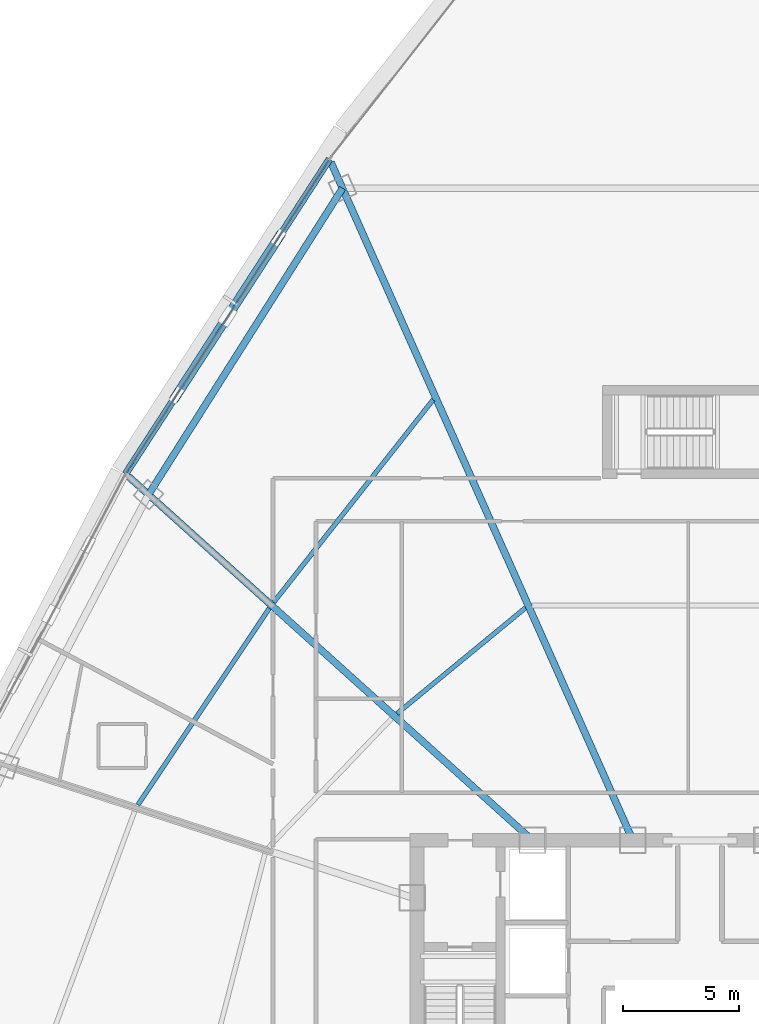
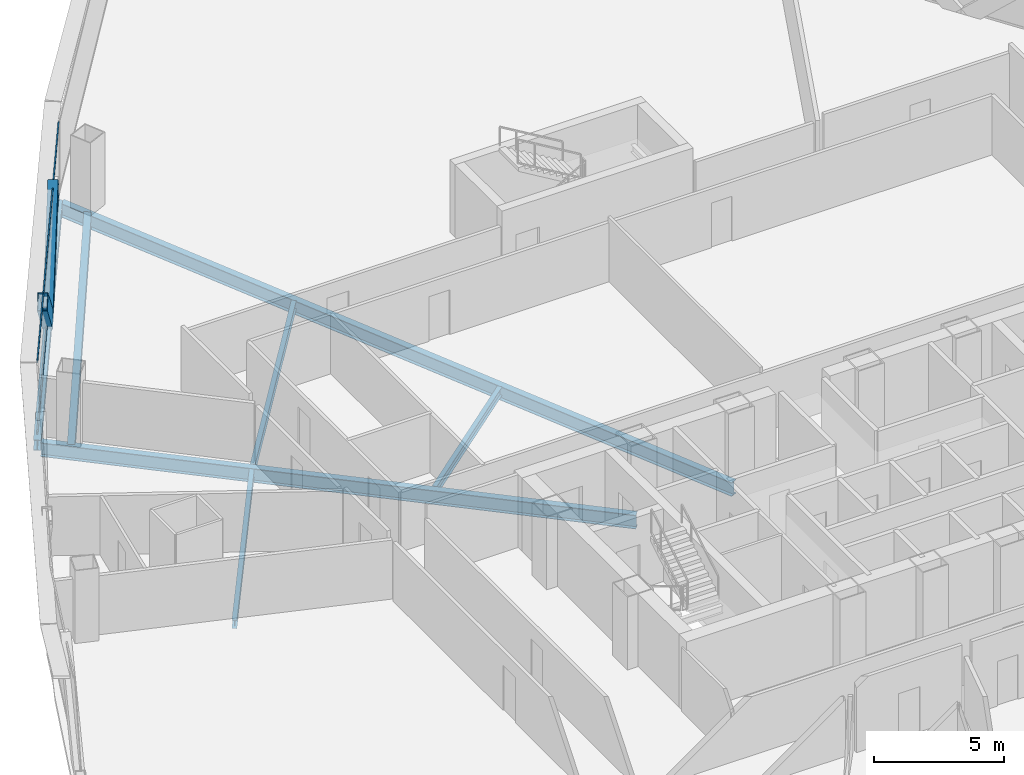
# One storey, part 19 of 42: 7 beams, 4 members, 1 element without a shape of its own.
"""IFC4 building model written with IfcOpenShell, lengths in metres."""

from ifc_helpers import new_model, si_unit, direction, frame, origin, origin_2d, place, context, subcontext, project, spatial, hollow_rectangle, i_section, extrude, source, transform, mapped, material, layer, layer_set, material_profile, profile_set, type_object, element, aggregate, save


model = new_model("IFC4")

# Units and contexts
model_context = context("Model", 3, precision=1e-05, world=origin(), true_north=direction((0.0, 1.0)))
body_context = subcontext(model_context, "Body", "Model", "MODEL_VIEW")
ifc_project = project(units=[si_unit("LENGTHUNIT", "METRE"), si_unit("AREAUNIT", "SQUARE_METRE"), si_unit("VOLUMEUNIT", "CUBIC_METRE"), si_unit("PLANEANGLEUNIT", "RADIAN"), si_unit("MASSUNIT", "GRAM", prefix="KILO"), si_unit("THERMODYNAMICTEMPERATUREUNIT", "KELVIN"), si_unit("POWERUNIT", "WATT")], contexts=[model_context])

# Site, building, storey
site_placement = place(None, origin())
site = spatial("IfcSite", under=ifc_project, at=site_placement, CompositionType="ELEMENT")
building_placement = place(site_placement, origin())
building = spatial("IfcBuilding", under=site, at=building_placement, Name="Yunzhuo Pagoda Commons", CompositionType="ELEMENT")
storey_placement = place(building_placement, frame((0.0, 0.0, 151.909912109375)))
storey = spatial("IfcBuildingStorey", under=building, at=storey_placement, Name="L38", CompositionType="ELEMENT", Elevation=151.909912109375)

# Beams
ifc_material_1 = material(Name="Structural steel Q355B", Category="steel")
ifc_material_profile_1 = material_profile(ifc_material_1, i_section(OverallWidth=0.199951171875, OverallDepth=0.39990234375, WebThickness=0.008056640625, FlangeThickness=0.012939453125, at=origin_2d()), Name="Structural steel Q355B")
ifc_profile_set_1 = profile_set([ifc_material_profile_1], Name="Structural steel Q355B")
beam_type_1 = type_object("IfcBeamType", Name="B-JS1 Joist HN 400x200x8x13", PredefinedType="JOIST", material=ifc_profile_set_1)
shared_shape_1 = source(origin(), body_context, "Body", "SweptSolid", [
    extrude(i_section(OverallWidth=0.199951171875, OverallDepth=0.39990234375, WebThickness=0.008056640625, FlangeThickness=0.012939453125, at=origin_2d()), origin(), (0.0, 0.0, 1.0), 10.186767578125),
])
beam_1_placement = place(storey_placement, frame((29.440673828125, 50.19921875, -0.4599609375), z_axis=(-0.555872145938, -0.831267801235, 0.0), x_axis=(0.831267801235, -0.555872145938, 0.0)))
element("IfcBeam", 1, at=beam_1_placement, inside=storey, type_object=beam_type_1, Name="L38 composite ring joist 2.10", PredefinedType="JOIST", context=body_context, shape_type="MappedRepresentation", body=[
    mapped(shared_shape_1, transform((0.0, 0.0, 0.0), scale=1.0)),
])
ifc_material_profile_2 = material_profile(ifc_material_1, i_section(OverallWidth=0.300048828125, OverallDepth=0.64990234375, WebThickness=0.012939453125, FlangeThickness=0.02197265625, at=origin_2d()), Name="Structural steel Q355B")
ifc_profile_set_2 = profile_set([ifc_material_profile_2], Name="Structural steel Q355B")
beam_type_2 = type_object("IfcBeamType", Name="B-RG2 Beam HN 650x300x13x22", PredefinedType="BEAM", material=ifc_profile_set_2)
shared_shape_2 = source(origin(), body_context, "Body", "SweptSolid", [
    extrude(i_section(OverallWidth=0.300048828125, OverallDepth=0.64990234375, WebThickness=0.012939453125, FlangeThickness=0.02197265625, at=origin_2d()), origin(), (0.0, 0.0, 1.0), 15.627685546875),
])
beam_2_placement = place(storey_placement, frame((32.593994140625, 68.302734375, -0.5849609375), z_axis=(-0.534952471728, -0.844882153316, 0.0), x_axis=(0.844882153316, -0.534952471728, 0.0)))
element("IfcBeam", 2, at=beam_2_placement, inside=storey, type_object=beam_type_2, Name="L38 column-ring beam 9", PredefinedType="BEAM", context=body_context, shape_type="MappedRepresentation", body=[
    mapped(shared_shape_2, transform((0.0, 0.0, 0.0), scale=1.0)),
])
shared_shape_3 = source(origin(), body_context, "Body", "SweptSolid", [
    extrude(i_section(OverallWidth=0.199951171875, OverallDepth=0.39990234375, WebThickness=0.008056640625, FlangeThickness=0.012939453125, at=origin_2d()), origin(), (0.0, 0.0, 1.0), 7.163818359375),
])
beam_3_placement = place(storey_placement, frame((40.47900390625, 50.21630859375, -0.4599609375), z_axis=(-0.772234119563, -0.635338071095, 0.0), x_axis=(0.635338071095, -0.772234119563, 0.0)))
element("IfcBeam", 3, at=beam_3_placement, inside=storey, type_object=beam_type_1, Name="L38 composite ring joist 1.9", PredefinedType="JOIST", context=body_context, shape_type="MappedRepresentation", body=[
    mapped(shared_shape_3, transform((0.0, 0.0, 0.0), scale=1.0)),
])
shared_shape_4 = source(origin(), body_context, "Body", "SweptSolid", [
    extrude(i_section(OverallWidth=0.199951171875, OverallDepth=0.39990234375, WebThickness=0.008056640625, FlangeThickness=0.012939453125, at=origin_2d()), origin(), (0.0, 0.0, 1.0), 11.109375),
])
beam_4_placement = place(storey_placement, frame((36.49951171875, 59.18505859375, -0.4599609375), z_axis=(-0.618600596935, -0.785705607382, 0.0), x_axis=(0.785705607382, -0.618600596935, 0.0)))
element("IfcBeam", 4, at=beam_4_placement, inside=storey, type_object=beam_type_1, Name="L38 composite ring joist 2.9", PredefinedType="JOIST", context=body_context, shape_type="MappedRepresentation", body=[
    mapped(shared_shape_4, transform((0.0, 0.0, 0.0), scale=1.0)),
])
shared_shape_5 = source(origin(), body_context, "Body", "SweptSolid", [
    extrude(i_section(OverallWidth=0.300048828125, OverallDepth=0.64990234375, WebThickness=0.012939453125, FlangeThickness=0.02197265625, at=origin_2d()), origin(), (0.0, 0.0, 1.0), 23.44287109375),
])
beam_5_placement = place(storey_placement, frame((23.359619140625, 55.886474609375, -0.5849609375), z_axis=(0.743139811502, -0.669136174901, 0.0), x_axis=(0.669136174901, 0.743139811502, 0.0)))
element("IfcBeam", 5, at=beam_5_placement, inside=storey, type_object=beam_type_2, Name="L38 radial floor girder F3C2", PredefinedType="BEAM", context=body_context, shape_type="MappedRepresentation", body=[
    mapped(shared_shape_5, transform((0.0, 0.0, 0.0), scale=1.0)),
])
shared_shape_6 = source(origin(), body_context, "Body", "SweptSolid", [
    extrude(i_section(OverallWidth=0.300048828125, OverallDepth=0.64990234375, WebThickness=0.012939453125, FlangeThickness=0.02197265625, at=origin_2d()), origin(), (0.0, 0.0, 1.0), 31.986328125),
])
beam_6_placement = place(storey_placement, frame((32.095947265625, 69.4208984375, -0.5849609375), z_axis=(0.406736795216, -0.913545389905, 0.0), x_axis=(0.913545389905, 0.406736795216, 0.0)))
element("IfcBeam", 6, at=beam_6_placement, inside=storey, type_object=beam_type_2, Name="L38 radial floor girder F3C1", PredefinedType="BEAM", context=body_context, shape_type="MappedRepresentation", body=[
    mapped(shared_shape_6, transform((0.0, 0.0, 0.0), scale=1.0)),
])
ifc_material_profile_3 = material_profile(ifc_material_1, i_section(OverallWidth=0.300048828125, OverallDepth=0.488037109375, WebThickness=0.010986328125, FlangeThickness=0.01806640625, at=origin_2d()), Name="Structural steel Q355B")
ifc_profile_set_3 = profile_set([ifc_material_profile_3], Name="Structural steel Q355B")
beam_type_3 = type_object("IfcBeamType", Name="B-SP1 Beam HM 488x300x11x18", PredefinedType="BEAM", material=ifc_profile_set_3)
shared_shape_7 = source(origin(), body_context, "Body", "SweptSolid", [
    extrude(i_section(OverallWidth=0.300048828125, OverallDepth=0.488037109375, WebThickness=0.010986328125, FlangeThickness=0.01806640625, at=origin_2d()), origin(), (0.0, 0.0, 1.0), 16.16943359375),
])
beam_7_placement = place(storey_placement, frame((32.032958984375, 69.5625, -0.50390625), z_axis=(-0.543528588708, -0.839390655927, 0.0), x_axis=(0.839390655927, -0.543528588708, 0.0)))
element("IfcBeam", 7, at=beam_7_placement, inside=storey, type_object=beam_type_3, Name="L38 facade edge spandrel beam F3.1", PredefinedType="BEAM", context=body_context, shape_type="MappedRepresentation", body=[
    mapped(shared_shape_7, transform((0.0, 0.0, 0.0), scale=1.0)),
])

# Members
ifc_material_profile_4 = material_profile(ifc_material_1, hollow_rectangle(XDim=0.39990234375, YDim=0.719970703125, WallThickness=0.02392578125, at=origin_2d()), Name="Structural steel Q355B")
ifc_profile_set_4 = profile_set([ifc_material_profile_4], Name="Structural steel Q355B")
member_type_1 = type_object("IfcMemberType", Name="M-DL2 Brace BOX 720x400x24", PredefinedType="BRACE", material=ifc_profile_set_4)
shared_shape_8 = source(origin(), body_context, "Body", "SweptSolid", [
    extrude(hollow_rectangle(XDim=0.39990234375, YDim=0.719970703125, WallThickness=0.02392578125, at=origin_2d()), origin(), (0.0, 0.0, 1.0), 5.466796875),
])
for number, where, z_axis, x_axis, name in (
    (8, (27.638916015625, 62.7763671875, -0.260009765625), (0.401937991885, 0.620681579025, 0.673201476631), (-0.839372417782, 0.543556753492, 0.0), "L38 facade diamond brace F3.1L"),
    (9, (27.638916015625, 62.7763671875, -0.260009765625), (-0.401926850427, -0.620709032677, 0.673182815927), (0.839390260424, -0.543529199497, 0.0), "L38 facade diamond brace F3.1R"),
):
    element("IfcMember", number, at=place(storey_placement, frame(where, z_axis=z_axis, x_axis=x_axis)), inside=storey, type_object=member_type_1, Name=name, PredefinedType="BRACE", context=body_context, shape_type="MappedRepresentation", body=[
        mapped(shared_shape_8, transform((0.0, 0.0, 0.0), scale=1.0)),
    ])

# Curtain wall, members
ifc_material_2 = material(Name="Anodized aluminium 6063-T6", Category="aluminium")
ifc_layer = layer(ifc_material_2, 0.14990234375)
ifc_layer_set = layer_set([ifc_layer], Name="Anodized aluminium 6063-T6")
curtain_wall_type = type_object("IfcCurtainWallType", Name="CW-MID Mid-Zone Ribbon Curtain Wall", PredefinedType="NOTDEFINED", material=ifc_layer_set)
curtain_wall_placement = place(storey_placement, origin())
curtain_wall = element("IfcCurtainWall", 10, at=curtain_wall_placement, inside=storey, type_object=curtain_wall_type, Name="L38 curtain wall CW-L38-F3B2", PredefinedType="NOTDEFINED")
ifc_material_profile_5 = material_profile(ifc_material_2, hollow_rectangle(XDim=0.054931640625, YDim=0.1298828125, WallThickness=0.00341796875, at=origin_2d()), Name="Anodized aluminium 6063-T6")
ifc_profile_set_5 = profile_set([ifc_material_profile_5], Name="Anodized aluminium 6063-T6")
member_type_2 = type_object("IfcMemberType", Name="CW-MID-T Transom RHS 130x55x3.5", PredefinedType="USERDEFINED", material=ifc_profile_set_5)
shared_shape_9 = source(origin(), body_context, "Body", "SweptSolid", [
    extrude(hollow_rectangle(XDim=0.054931640625, YDim=0.1298828125, WallThickness=0.00341796875, at=origin_2d()), origin(), (0.0, 0.0, 1.0), 16.049560546875),
])
member_1_placement = place(storey_placement, frame((32.00048828125, 69.51220703125, 0.027587890625), z_axis=(-0.543526245349, -0.839392173312, 0.0), x_axis=(0.839392173312, -0.543526245349, 0.0)))
member_1 = element("IfcMember", 11, at=member_1_placement, type_object=member_type_2, Name="CW transom 1.1", ObjectType="TRANSOM", PredefinedType="USERDEFINED", context=body_context, shape_type="MappedRepresentation", body=[
    mapped(shared_shape_9, transform((0.0, 0.0, 0.0), scale=1.0)),
])
member_2_placement = place(storey_placement, frame((32.00048828125, 69.51220703125, 3.392578125), z_axis=(-0.543526245349, -0.839392173312, 0.0), x_axis=(0.839392173312, -0.543526245349, 0.0)))
member_2 = element("IfcMember", 12, at=member_2_placement, type_object=member_type_2, Name="CW transom 1.2", ObjectType="TRANSOM", PredefinedType="USERDEFINED", context=body_context, shape_type="MappedRepresentation", body=[
    mapped(shared_shape_9, transform((0.0, 0.0, 0.0), scale=1.0)),
])
aggregate(curtain_wall, [member_1, member_2])

save(model, "model.ifc")
